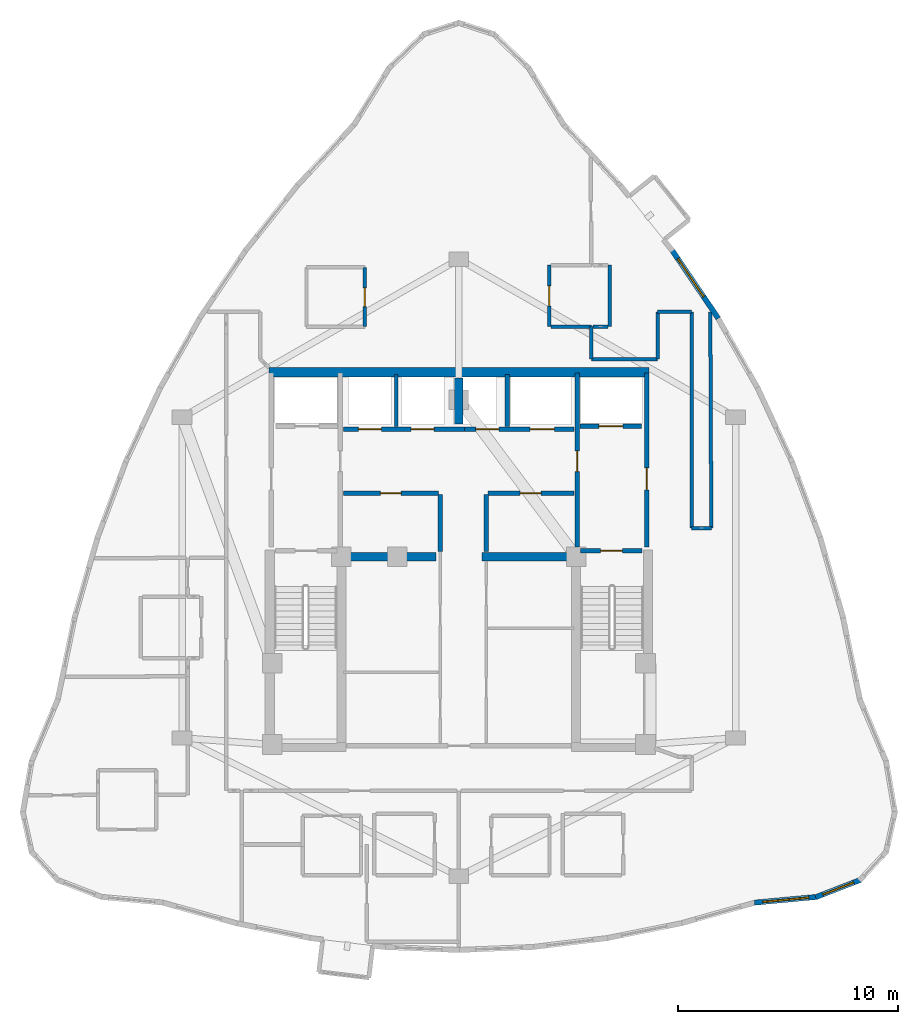
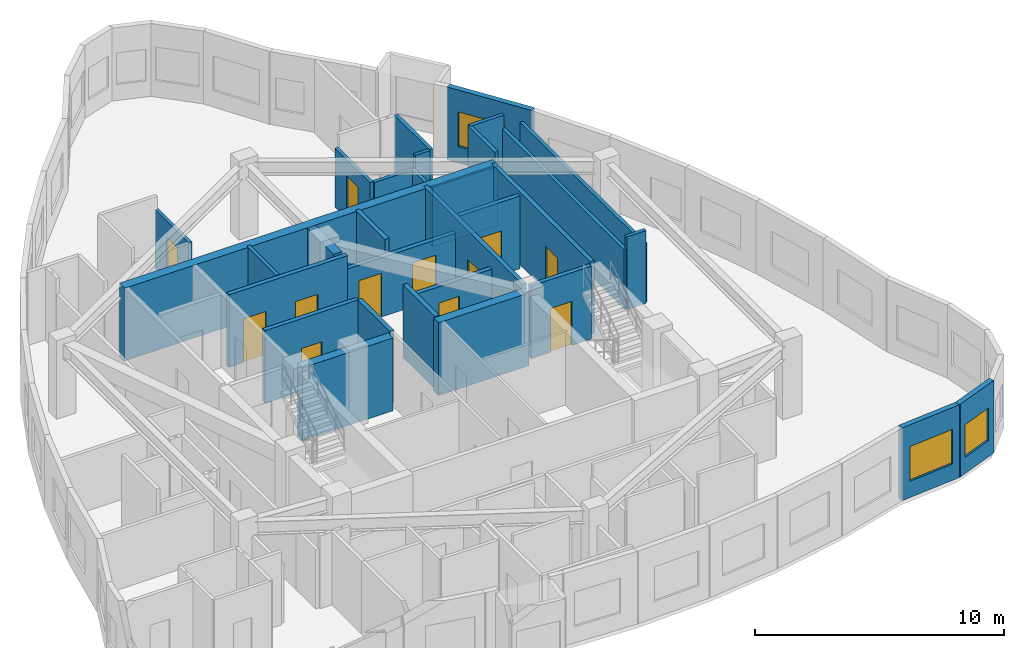
# One storey, part 10 of 13: 31 walls, 12 doors, 3 windows, 15 openings.
"""IFC4 building model written with IfcOpenShell, lengths in metres."""

from ifc_helpers import new_model, si_unit, direction, frame, frame_2d, origin, place, context, subcontext, project, spatial, rectangle, extrude, material, layer, layer_set, type_object, element, fill, save


model = new_model("IFC4")

# Units and contexts
model_context = context("Model", 3, precision=1e-05, world=origin(), true_north=direction((0.0, 1.0)))
body_context = subcontext(model_context, "Body", "Model", "MODEL_VIEW")
ifc_project = project(units=[si_unit("LENGTHUNIT", "METRE"), si_unit("AREAUNIT", "SQUARE_METRE"), si_unit("VOLUMEUNIT", "CUBIC_METRE"), si_unit("PLANEANGLEUNIT", "RADIAN"), si_unit("MASSUNIT", "GRAM", prefix="KILO")], contexts=[model_context])

# Site, building, storey
site_placement = place(None, origin())
site = spatial("IfcSite", under=ifc_project, at=site_placement, CompositionType="ELEMENT")
building_placement = place(site_placement, origin())
building = spatial("IfcBuilding", under=site, at=building_placement, Name="Miruveldt Soraemaru", CompositionType="ELEMENT")
storey_placement = place(building_placement, frame((0.0, 0.0, 259.699951171875)))
storey = spatial("IfcBuildingStorey", under=building, at=storey_placement, Name="L71", CompositionType="ELEMENT", Elevation=259.699951171875)

# Walls
ifc_material_1 = material(Name="Concrete C70/85 (70 MPa)", Category="concrete")
ifc_layer_1 = layer(ifc_material_1, 0.5, Name="Concrete C70/85 (70 MPa)", Category="concrete")
ifc_layer_set_1 = layer_set([ifc_layer_1], Name="Concrete C70/85 (70 MPa)")
wall_type_1 = type_object("IfcWallType", Name="WALL-BW-500", PredefinedType="SHEAR", material=ifc_layer_set_1)
wall_1_placement = place(storey_placement, frame((44.0, 50.10009765625, 0.0), z_axis=(0.0, 0.0, 1.0), x_axis=(0.0, 1.0, 0.0)))
element("IfcWall", 1, at=wall_1_placement, inside=storey, type_object=wall_type_1, Name="L71 Core Buttress Shear Wall BN", PredefinedType="SHEAR", context=body_context, shape_type="SweptSolid", body=[
    extrude(rectangle(XDim=2.099853515625, YDim=0.39990234375, at=frame_2d((1.0498046875, 0.0))), origin(), (0.0, 0.0, 1.0), 3.56494140625),
])
for number, where, z_axis, x_axis, name in (
    (2, (38.75, 44.050048828125, 0.0), (0.0, 0.0, 1.0), (1.0, 0.0, 0.0), "L71 Core Buttress Shear Wall BW"),
    (3, (45.050048828125, 44.050048828125, 0.0), (0.0, 0.0, 1.0), (1.0, 0.0, 0.0), "L71 Core Buttress Shear Wall BE"),
):
    element("IfcWall", number, at=place(storey_placement, frame(where, z_axis=z_axis, x_axis=x_axis)), inside=storey, type_object=wall_type_1, Name=name, PredefinedType="SHEAR", context=body_context, shape_type="SweptSolid", body=[
        extrude(rectangle(XDim=4.199951171875, YDim=0.39990234375, at=frame_2d((2.10009765625, 0.0))), origin(), (0.0, 0.0, 1.0), 3.56494140625),
    ])
ifc_material_2 = material(Name="Concrete C50/60 (50 MPa)", Category="concrete")
ifc_layer_2 = layer(ifc_material_2, 0.419921875, Name="Concrete C50/60 (50 MPa)", Category="concrete")
ifc_layer_set_2 = layer_set([ifc_layer_2], Name="Concrete C50/60 (50 MPa)")
wall_type_2 = type_object("IfcWallType", Name="WALL-CW-420", PredefinedType="SHEAR", material=ifc_layer_set_2)
wall_2_placement = place(storey_placement, frame((35.35009765625, 52.449951171875, 0.0), z_axis=(0.0, 0.0, 1.0), x_axis=(1.0, 0.0, 0.0)))
element("IfcWall", 4, at=wall_2_placement, inside=storey, type_object=wall_type_2, Name="L71 Central Core Shear Wall N", PredefinedType="SHEAR", context=body_context, shape_type="SweptSolid", body=[
    extrude(rectangle(XDim=17.2998046875, YDim=0.419921875, at=frame_2d((8.64990234375, 0.0))), origin(), (0.0, 0.0, 1.0), 3.56494140625),
])

# Wall, opening, window
ifc_material_3 = material(Name="Precast concrete C45/55 (45 MPa)", Category="concrete")
ifc_layer_3 = layer(ifc_material_3, 0.239990234375, Name="Precast concrete C45/55 (45 MPa)", Category="concrete")
ifc_layer_set_3 = layer_set([ifc_layer_3], Name="Precast concrete C45/55 (45 MPa)")
wall_type_3 = type_object("IfcWallType", Name="WALL-EXT-PC240", PredefinedType="SOLIDWALL", material=ifc_layer_set_3)
wall_3_placement = place(storey_placement, frame((57.46435546875, 28.30078125, 0.0), z_axis=(0.0, 0.0, 1.0), x_axis=(0.99576007386, 0.091988452029, 0.0)))
wall_3 = element("IfcWall", 5, at=wall_3_placement, inside=storey, type_object=wall_type_3, Name="L71 Precast Concrete Facade Wall 29", PredefinedType="SOLIDWALL", context=body_context, shape_type="SweptSolid", body=[
    extrude(rectangle(XDim=2.86376953125, YDim=0.239990234375, at=frame_2d((1.431884765625, 0.0))), origin(), (0.0, 0.0, 1.0), 3.56494140625),
])
opening_1_placement = place(wall_3_placement, frame((0.382080078125, 0.0, 0.800048828125)))
opening_1 = element("IfcOpeningElement", 6, at=opening_1_placement, cuts=wall_3, Name="Opening WN-1", PredefinedType="OPENING", context=body_context, shape_type="SweptSolid", body=[
    extrude(rectangle(XDim=2.10009765625, YDim=1.699951171875, at=frame_2d((1.050048828125, 0.85009765625))), frame((0.0, 0.1298828125, 0.0), z_axis=(0.0, -1.0, 0.0), x_axis=(1.0, 0.0, 0.0)), (0.0, 0.0, 1.0), 0.260009765625),
])
ifc_material_4 = material(Name="Triple low-e insulated glazing", Category="glass")
window_type_1 = type_object("IfcWindowType", Name="WIN-PUNCH-2100x1700", PartitioningType="SINGLE_PANEL", PredefinedType="WINDOW", material=ifc_material_4)
window_1_placement = place(opening_1_placement, origin())
window_1 = element("IfcWindow", 7, at=window_1_placement, inside=storey, type_object=window_type_1, Name="L71 Punched Triple-Glazed Window 29.1", OverallHeight=1.699951171875, OverallWidth=2.10009765625, PartitioningType="SINGLE_PANEL", PredefinedType="WINDOW", context=body_context, shape_type="SweptSolid", body=[
    extrude(rectangle(XDim=2.10009765625, YDim=1.699951171875, at=frame_2d((1.050048828125, 0.85009765625))), frame((0.0, 0.030029296875, 0.0), z_axis=(0.0, -1.0, 0.0), x_axis=(1.0, 0.0, 0.0)), (0.0, 0.0, 1.0), 0.06005859375),
])
fill(opening_1, window_1)

wall_4_placement = place(storey_placement, frame((60.248291015625, 28.54833984375, 0.0), z_axis=(0.0, 0.0, 1.0), x_axis=(0.932289565547, 0.361712822516, 0.0)))
wall_4 = element("IfcWall", 8, at=wall_4_placement, inside=storey, type_object=wall_type_3, Name="L71 Precast Concrete Facade Wall 30", PredefinedType="SOLIDWALL", context=body_context, shape_type="SweptSolid", body=[
    extrude(rectangle(XDim=2.200927734375, YDim=0.239990234375, at=frame_2d((1.1005859375, 0.0))), origin(), (0.0, 0.0, 1.0), 3.56494140625),
])
opening_2_placement = place(wall_4_placement, frame((0.35107421875, 0.0, 0.800048828125)))
opening_2 = element("IfcOpeningElement", 9, at=opening_2_placement, cuts=wall_4, Name="Opening WN-3", PredefinedType="OPENING", context=body_context, shape_type="SweptSolid", body=[
    extrude(rectangle(XDim=1.5, YDim=1.60009765625, at=frame_2d((0.75, 0.800048828125))), frame((0.0, 0.1298828125, 0.0), z_axis=(0.0, -1.0, 0.0), x_axis=(1.0, 0.0, 0.0)), (0.0, 0.0, 1.0), 0.260009765625),
])
window_type_2 = type_object("IfcWindowType", Name="WIN-PUNCH-1500x1600", PartitioningType="SINGLE_PANEL", PredefinedType="WINDOW", material=ifc_material_4)
window_2_placement = place(opening_2_placement, origin())
window_2 = element("IfcWindow", 10, at=window_2_placement, inside=storey, type_object=window_type_2, Name="L71 Punched Triple-Glazed Window 30.1", OverallHeight=1.60009765625, OverallWidth=1.5, PartitioningType="SINGLE_PANEL", PredefinedType="WINDOW", context=body_context, shape_type="SweptSolid", body=[
    extrude(rectangle(XDim=1.5, YDim=1.60009765625, at=frame_2d((0.75, 0.800048828125))), frame((0.0, 0.030029296875, 0.0), z_axis=(0.0, -1.0, 0.0), x_axis=(1.0, 0.0, 0.0)), (0.0, 0.0, 1.0), 0.06005859375),
])
fill(opening_2, window_2)

wall_5_placement = place(storey_placement, frame((55.814453125, 54.90478515625, 0.0), z_axis=(0.0, 0.0, 1.0), x_axis=(-0.560812433684, 0.827942881016, 0.0)))
wall_5 = element("IfcWall", 11, at=wall_5_placement, inside=storey, type_object=wall_type_3, Name="L71 Precast Concrete Facade Wall 40", PredefinedType="SOLIDWALL", context=body_context, shape_type="SweptSolid", body=[
    extrude(rectangle(XDim=3.779052734375, YDim=0.239990234375, at=frame_2d((1.8896484375, 0.0))), origin(), (0.0, 0.0, 1.0), 3.56494140625),
])
opening_3_placement = place(wall_5_placement, frame((1.18505859375, 0.0, 0.800048828125)))
opening_3 = element("IfcOpeningElement", 12, at=opening_3_placement, cuts=wall_5, Name="Opening WN-1", PredefinedType="OPENING", context=body_context, shape_type="SweptSolid", body=[
    extrude(rectangle(XDim=2.10009765625, YDim=1.699951171875, at=frame_2d((1.050048828125, 0.85009765625))), frame((0.0, 0.1298828125, 0.0), z_axis=(0.0, -1.0, 0.0), x_axis=(1.0, 0.0, 0.0)), (0.0, 0.0, 1.0), 0.260009765625),
])
window_3_placement = place(opening_3_placement, origin())
window_3 = element("IfcWindow", 13, at=window_3_placement, inside=storey, type_object=window_type_1, Name="L71 Punched Triple-Glazed Window 40.1", OverallHeight=1.699951171875, OverallWidth=2.10009765625, PartitioningType="SINGLE_PANEL", PredefinedType="WINDOW", context=body_context, shape_type="SweptSolid", body=[
    extrude(rectangle(XDim=2.10009765625, YDim=1.699951171875, at=frame_2d((1.050048828125, 0.85009765625))), frame((0.0, 0.030029296875, 0.0), z_axis=(0.0, -1.0, 0.0), x_axis=(1.0, 0.0, 0.0)), (0.0, 0.0, 1.0), 0.06005859375),
])
fill(opening_3, window_3)

# Wall, opening, door
ifc_material_5 = material(Name="Gypsum plasterboard lining", Category="gypsum")
ifc_layer_4 = layer(ifc_material_5, 0.14990234375, Name="Gypsum plasterboard lining", Category="gypsum")
ifc_layer_set_4 = layer_set([ifc_layer_4], Name="Gypsum plasterboard lining")
wall_type_4 = type_object("IfcWallType", Name="WALL-INT-PLUMB", PredefinedType="PLUMBINGWALL", material=ifc_layer_set_4)
wall_6_placement = place(storey_placement, frame((39.716064453125, 54.530029296875, 0.0), z_axis=(0.0, 0.0, 1.0), x_axis=(0.0, 1.0, 0.0)))
wall_6 = element("IfcWall", 14, at=wall_6_placement, inside=storey, type_object=wall_type_4, Name="L71 Partition Wall 13", PredefinedType="PLUMBINGWALL", context=body_context, shape_type="SweptSolid", body=[
    extrude(rectangle(XDim=2.699951171875, YDim=0.14990234375, at=frame_2d((1.35009765625, 0.0))), origin(), (0.0, 0.0, 1.0), 2.903076171875),
])
opening_4_placement = place(wall_6_placement, frame((0.909912109375, 0.0, 0.0)))
opening_4 = element("IfcOpeningElement", 15, at=opening_4_placement, cuts=wall_6, Name="Opening FD3", PredefinedType="OPENING", context=body_context, shape_type="SweptSolid", body=[
    extrude(rectangle(XDim=0.85009765625, YDim=2.10009765625, at=frame_2d((0.425048828125, 1.050048828125))), frame((0.0, 0.0849609375, 0.0), z_axis=(0.0, -1.0, 0.0), x_axis=(1.0, 0.0, 0.0)), (0.0, 0.0, 1.0), 0.169921875),
])
ifc_material_6 = material(Name="Anodised aluminium EN AW-6063 T6", Category="aluminium")
door_type_1 = type_object("IfcDoorType", Name="DOOR-FD3-850", OperationType="NOTDEFINED", PredefinedType="DOOR", material=ifc_material_6)
door_1_placement = place(opening_4_placement, origin())
door_1 = element("IfcDoor", 16, at=door_1_placement, inside=storey, type_object=door_type_1, Name="L71 Unit 7101 BTH Door", OperationType="SINGLE_SWING_RIGHT", OverallHeight=2.10009765625, OverallWidth=0.85009765625, PredefinedType="DOOR", context=body_context, shape_type="SweptSolid", body=[
    extrude(rectangle(XDim=0.85009765625, YDim=2.10009765625, at=frame_2d((0.425048828125, 1.050048828125))), frame((0.0, 0.02490234375, 0.0), z_axis=(0.0, -1.0, 0.0), x_axis=(1.0, 0.0, 0.0)), (0.0, 0.0, 1.0), 0.050048828125),
])
fill(opening_4, door_1)

ifc_material_7 = material(Name="Concrete C40/50 (40 MPa)", Category="concrete")
ifc_layer_5 = layer(ifc_material_7, 0.159912109375, Name="Concrete C40/50 (40 MPa)", Category="concrete")
ifc_layer_set_5 = layer_set([ifc_layer_5], Name="Concrete C40/50 (40 MPa)")
wall_type_5 = type_object("IfcWallType", Name="WALL-INT-RC160", PredefinedType="SOLIDWALL", material=ifc_layer_set_5)
wall_7_placement = place(storey_placement, frame((48.115966796875, 57.330078125, 0.0), z_axis=(0.0, 0.0, 1.0), x_axis=(0.0, -1.0, 0.0)))
wall_7 = element("IfcWall", 17, at=wall_7_placement, inside=storey, type_object=wall_type_5, Name="L71 Partition Wall 18", PredefinedType="SOLIDWALL", context=body_context, shape_type="SweptSolid", body=[
    extrude(rectangle(XDim=2.800048828125, YDim=0.159912109375, at=frame_2d((1.39990234375, 0.0))), origin(), (0.0, 0.0, 1.0), 2.903076171875),
])
opening_5_placement = place(wall_7_placement, frame((0.93994140625, 0.0, 0.0)))
opening_5 = element("IfcOpeningElement", 18, at=opening_5_placement, cuts=wall_7, Name="Opening D3A", PredefinedType="OPENING", context=body_context, shape_type="SweptSolid", body=[
    extrude(rectangle(XDim=0.919921875, YDim=2.10009765625, at=frame_2d((0.4599609375, 1.050048828125))), frame((0.0, 0.08984375, 0.0), z_axis=(0.0, -1.0, 0.0), x_axis=(1.0, 0.0, 0.0)), (0.0, 0.0, 1.0), 0.179931640625),
])
door_type_2 = type_object("IfcDoorType", Name="DOOR-INT-920", OperationType="NOTDEFINED", PredefinedType="DOOR", material=ifc_material_6)
door_2_placement = place(opening_5_placement, origin())
door_2 = element("IfcDoor", 19, at=door_2_placement, inside=storey, type_object=door_type_2, Name="L71 Unit 7101 KIT Door", OperationType="SINGLE_SWING_LEFT", OverallHeight=2.10009765625, OverallWidth=0.919921875, PredefinedType="DOOR", context=body_context, shape_type="SweptSolid", body=[
    extrude(rectangle(XDim=0.919921875, YDim=2.10009765625, at=frame_2d((0.4599609375, 1.050048828125))), frame((0.0, 0.02490234375, 0.0), z_axis=(0.0, -1.0, 0.0), x_axis=(1.0, 0.0, 0.0)), (0.0, 0.0, 1.0), 0.050048828125),
])
fill(opening_5, door_2)

# Walls
wall_8_placement = place(storey_placement, frame((55.448974609375, 55.202880859375, 0.0), z_axis=(0.0, 0.0, 1.0), x_axis=(0.004686867306, -0.999989016577, 0.0)))
element("IfcWall", 20, at=wall_8_placement, inside=storey, type_object=wall_type_5, Name="L71 Partition Wall 68", PredefinedType="SOLIDWALL", context=body_context, shape_type="SweptSolid", body=[
    extrude(rectangle(XDim=9.844970703125, YDim=0.159912109375, at=frame_2d((4.92236328125, 0.0))), origin(), (0.0, 0.0, 1.0), 2.903076171875),
])
wall_9_placement = place(storey_placement, frame((54.60009765625, 45.35791015625, 0.0), z_axis=(0.0, 0.0, 1.0), x_axis=(0.0, 1.0, 0.0)))
element("IfcWall", 21, at=wall_9_placement, inside=storey, type_object=wall_type_5, Name="L71 Partition Wall 70", PredefinedType="SOLIDWALL", context=body_context, shape_type="SweptSolid", body=[
    extrude(rectangle(XDim=9.842041015625, YDim=0.159912109375, at=frame_2d((4.9208984375, 0.0))), origin(), (0.0, 0.0, 1.0), 2.903076171875),
])
wall_10_placement = place(storey_placement, frame((53.047119140625, 53.050048828125, 0.0), z_axis=(0.0, 0.0, 1.0), x_axis=(-1.0, 0.0, 0.0)))
element("IfcWall", 22, at=wall_10_placement, inside=storey, type_object=wall_type_5, Name="L71 Partition Wall 73", PredefinedType="SOLIDWALL", context=body_context, shape_type="SweptSolid", body=[
    extrude(rectangle(XDim=3.01220703125, YDim=0.159912109375, at=frame_2d((1.506103515625, 0.0))), origin(), (0.0, 0.0, 1.0), 2.903076171875),
])
wall_11_placement = place(storey_placement, frame((50.865966796875, 54.530029296875, 0.0), z_axis=(0.0, 0.0, 1.0), x_axis=(0.0, 1.0, 0.0)))
element("IfcWall", 23, at=wall_11_placement, inside=storey, type_object=wall_type_5, Name="L71 Partition Wall 25", PredefinedType="SOLIDWALL", context=body_context, shape_type="SweptSolid", body=[
    extrude(rectangle(XDim=2.800048828125, YDim=0.159912109375, at=frame_2d((1.39990234375, 0.0))), origin(), (0.0, 0.0, 1.0), 3.56494140625),
])
wall_12_placement = place(storey_placement, frame((41.14990234375, 49.97998046875, 0.0), z_axis=(0.0, 0.0, 1.0), x_axis=(0.0, 1.0, 0.0)))
element("IfcWall", 24, at=wall_12_placement, inside=storey, type_object=wall_type_5, Name="L71 Core Compartment Wall PLH-DIV1", PredefinedType="SOLIDWALL", context=body_context, shape_type="SweptSolid", body=[
    extrude(rectangle(XDim=2.3701171875, YDim=0.159912109375, at=frame_2d((1.18505859375, 0.0))), origin(), (0.0, 0.0, 1.0), 3.56494140625),
])
wall_13_placement = place(storey_placement, frame((53.050048828125, 55.199951171875, 0.0), z_axis=(0.0, 0.0, 1.0), x_axis=(0.0, -1.0, 0.0)))
element("IfcWall", 25, at=wall_13_placement, inside=storey, type_object=wall_type_5, Name="L71 Partition Wall 72", PredefinedType="SOLIDWALL", context=body_context, shape_type="SweptSolid", body=[
    extrude(rectangle(XDim=2.14697265625, YDim=0.159912109375, at=frame_2d((1.073486328125, 0.0))), origin(), (0.0, 0.0, 1.0), 3.56494140625),
])
wall_14_placement = place(storey_placement, frame((48.196044921875, 54.530029296875, 0.0), z_axis=(0.0, 0.0, 1.0), x_axis=(1.0, 0.0, 0.0)))
element("IfcWall", 26, at=wall_14_placement, inside=storey, type_object=wall_type_5, Name="L71 Partition Wall 19", PredefinedType="SOLIDWALL", context=body_context, shape_type="SweptSolid", body=[
    extrude(rectangle(XDim=1.848876953125, YDim=0.159912109375, at=frame_2d((0.92431640625, 0.0))), origin(), (0.0, 0.0, 1.0), 2.903076171875),
])
wall_15_placement = place(storey_placement, frame((54.60009765625, 55.199951171875, 0.0), z_axis=(0.0, 0.0, 1.0), x_axis=(-1.0, 0.0, 0.0)))
element("IfcWall", 27, at=wall_15_placement, inside=storey, type_object=wall_type_5, Name="L71 Partition Wall 71", PredefinedType="SOLIDWALL", context=body_context, shape_type="SweptSolid", body=[
    extrude(rectangle(XDim=1.550048828125, YDim=0.159912109375, at=frame_2d((0.77490234375, 0.0))), origin(), (0.0, 0.0, 1.0), 3.56494140625),
])
wall_16_placement = place(storey_placement, frame((50.034912109375, 53.050048828125, 0.0), z_axis=(0.0, 0.0, 1.0), x_axis=(0.0, 1.0, 0.0)))
element("IfcWall", 28, at=wall_16_placement, inside=storey, type_object=wall_type_5, Name="L71 Partition Wall 20", PredefinedType="SOLIDWALL", context=body_context, shape_type="SweptSolid", body=[
    extrude(rectangle(XDim=1.47998046875, YDim=0.159912109375, at=frame_2d((0.739990234375, 0.0))), origin(), (0.0, 0.0, 1.0), 2.903076171875),
])
wall_17_placement = place(storey_placement, frame((55.4951171875, 45.35791015625, 0.0), z_axis=(0.0, 0.0, 1.0), x_axis=(-1.0, 0.0, 0.0)))
element("IfcWall", 29, at=wall_17_placement, inside=storey, type_object=wall_type_5, Name="L71 Partition Wall 69", PredefinedType="SOLIDWALL", context=body_context, shape_type="SweptSolid", body=[
    extrude(rectangle(XDim=0.89501953125, YDim=0.159912109375, at=frame_2d((0.447509765625, 0.0))), origin(), (0.0, 0.0, 1.0), 3.56494140625),
])
wall_18_placement = place(storey_placement, frame((50.114990234375, 54.530029296875, 0.0), z_axis=(0.0, 0.0, 1.0), x_axis=(1.0, 0.0, 0.0)))
element("IfcWall", 30, at=wall_18_placement, inside=storey, type_object=wall_type_5, Name="L71 Partition Wall 24", PredefinedType="SOLIDWALL", context=body_context, shape_type="SweptSolid", body=[
    extrude(rectangle(XDim=0.6708984375, YDim=0.159912109375, at=frame_2d((0.33544921875, 0.0))), origin(), (0.0, 0.0, 1.0), 3.56494140625),
])

# Wall, opening, door
ifc_layer_6 = layer(ifc_material_7, 0.199951171875, Name="Concrete C40/50 (40 MPa)", Category="concrete")
ifc_layer_set_6 = layer_set([ifc_layer_6], Name="Concrete C40/50 (40 MPa)")
wall_type_6 = type_object("IfcWallType", Name="WALL-INT-RC200", PredefinedType="SOLIDWALL", material=ifc_layer_set_6)
wall_19_placement = place(storey_placement, frame((52.550048828125, 44.5, 0.0), z_axis=(0.0, 0.0, 1.0), x_axis=(0.0, 1.0, 0.0)))
wall_19 = element("IfcWall", 31, at=wall_19_placement, inside=storey, type_object=wall_type_6, Name="L71 Core Compartment Wall FFE-OUT", PredefinedType="SOLIDWALL", context=body_context, shape_type="SweptSolid", body=[
    extrude(rectangle(XDim=7.919921875, YDim=0.199951171875, at=frame_2d((3.9599609375, 0.0))), origin(), (0.0, 0.0, 1.0), 3.56494140625),
])
opening_6_placement = place(wall_19_placement, frame((2.60009765625, 0.0, 0.0)))
opening_6 = element("IfcOpeningElement", 32, at=opening_6_placement, cuts=wall_19, Name="Opening FD1", PredefinedType="OPENING", context=body_context, shape_type="SweptSolid", body=[
    extrude(rectangle(XDim=1.0, YDim=2.14990234375, at=frame_2d((0.5, 1.074951171875))), frame((0.0, 0.10986328125, 0.0), z_axis=(0.0, -1.0, 0.0), x_axis=(1.0, 0.0, 0.0)), (0.0, 0.0, 1.0), 0.219970703125),
])
door_type_3 = type_object("IfcDoorType", Name="DOOR-FD1-1000", OperationType="NOTDEFINED", PredefinedType="DOOR", material=ifc_material_6)
door_3_placement = place(opening_6_placement, frame((1.0, 0.0, 0.0), z_axis=(0.0, 0.0, 1.0), x_axis=(-1.0, 0.0, 0.0)))
door_3 = element("IfcDoor", 33, at=door_3_placement, inside=storey, type_object=door_type_3, Name="L71 East Firefighting Lobby Exit Door", OperationType="SINGLE_SWING_RIGHT", OverallHeight=2.14990234375, OverallWidth=1.0, PredefinedType="DOOR", context=body_context, shape_type="SweptSolid", body=[
    extrude(rectangle(XDim=1.0, YDim=2.14990234375, at=frame_2d((0.5, 1.074951171875))), frame((0.0, 0.02490234375, 0.0), z_axis=(0.0, -1.0, 0.0), x_axis=(1.0, 0.0, 0.0)), (0.0, 0.0, 1.0), 0.050048828125),
])
fill(opening_6, door_3)

wall_20_placement = place(storey_placement, frame((49.39990234375, 44.5, 0.0), z_axis=(0.0, 0.0, 1.0), x_axis=(0.0, 1.0, 0.0)))
wall_20 = element("IfcWall", 34, at=wall_20_placement, inside=storey, type_object=wall_type_6, Name="L71 Core Compartment Wall FFE-IN", PredefinedType="SOLIDWALL", context=body_context, shape_type="SweptSolid", body=[
    extrude(rectangle(XDim=7.919921875, YDim=0.199951171875, at=frame_2d((3.9599609375, 0.0))), origin(), (0.0, 0.0, 1.0), 3.56494140625),
])
opening_7_placement = place(wall_20_placement, frame((3.425048828125, 0.0, 0.0)))
opening_7 = element("IfcOpeningElement", 35, at=opening_7_placement, cuts=wall_20, Name="Opening FD2", PredefinedType="OPENING", context=body_context, shape_type="SweptSolid", body=[
    extrude(rectangle(XDim=0.949951171875, YDim=2.14990234375, at=frame_2d((0.47509765625, 1.074951171875))), frame((0.0, 0.10986328125, 0.0), z_axis=(0.0, -1.0, 0.0), x_axis=(1.0, 0.0, 0.0)), (0.0, 0.0, 1.0), 0.219970703125),
])
door_type_4 = type_object("IfcDoorType", Name="DOOR-FD2-950", OperationType="NOTDEFINED", PredefinedType="DOOR", material=ifc_material_6)
door_4_placement = place(opening_7_placement, origin())
door_4 = element("IfcDoor", 36, at=door_4_placement, inside=storey, type_object=door_type_4, Name="L71 Lift Lobby to East Fire Lobby Door", OperationType="SINGLE_SWING_LEFT", OverallHeight=2.14990234375, OverallWidth=0.949951171875, PredefinedType="DOOR", context=body_context, shape_type="SweptSolid", body=[
    extrude(rectangle(XDim=0.949951171875, YDim=2.14990234375, at=frame_2d((0.47509765625, 1.074951171875))), frame((0.0, 0.02490234375, 0.0), z_axis=(0.0, -1.0, 0.0), x_axis=(1.0, 0.0, 0.0)), (0.0, 0.0, 1.0), 0.050048828125),
])
fill(opening_7, door_4)

# Wall, openings, doors
wall_21_placement = place(storey_placement, frame((38.75, 49.85009765625, 0.0), z_axis=(0.0, 0.0, 1.0), x_axis=(1.0, 0.0, 0.0)))
wall_21 = element("IfcWall", 37, at=wall_21_placement, inside=storey, type_object=wall_type_6, Name="L71 Core Compartment Wall ROWA-SW", PredefinedType="SOLIDWALL", context=body_context, shape_type="SweptSolid", body=[
    extrude(rectangle(XDim=5.5, YDim=0.199951171875, at=frame_2d((2.75, 0.0))), origin(), (0.0, 0.0, 1.0), 3.56494140625),
])
opening_8_placement = place(wall_21_placement, frame((0.675048828125, 0.0, 0.0)))
opening_8 = element("IfcOpeningElement", 38, at=opening_8_placement, cuts=wall_21, Name="Opening LD1", PredefinedType="OPENING", context=body_context, shape_type="SweptSolid", body=[
    extrude(rectangle(XDim=1.050048828125, YDim=2.14990234375, at=frame_2d((0.52490234375, 1.074951171875))), frame((0.0, 0.10986328125, 0.0), z_axis=(0.0, -1.0, 0.0), x_axis=(1.0, 0.0, 0.0)), (0.0, 0.0, 1.0), 0.219970703125),
])
opening_9_placement = place(wall_21_placement, frame((3.074951171875, 0.0, 0.0)))
opening_9 = element("IfcOpeningElement", 39, at=opening_9_placement, cuts=wall_21, Name="Opening LD1", PredefinedType="OPENING", context=body_context, shape_type="SweptSolid", body=[
    extrude(rectangle(XDim=1.050048828125, YDim=2.14990234375, at=frame_2d((0.52490234375, 1.074951171875))), frame((0.0, 0.10986328125, 0.0), z_axis=(0.0, -1.0, 0.0), x_axis=(1.0, 0.0, 0.0)), (0.0, 0.0, 1.0), 0.219970703125),
])
door_type_5 = type_object("IfcDoorType", Name="DOOR-LD1-1050", OperationType="SLIDING_TO_LEFT", PredefinedType="DOOR", material=ifc_material_6)
door_5_placement = place(opening_8_placement, origin())
door_5 = element("IfcDoor", 40, at=door_5_placement, inside=storey, type_object=door_type_5, Name="L71 PL-H1 Landing Door", OperationType="SLIDING_TO_LEFT", OverallHeight=2.14990234375, OverallWidth=1.050048828125, PredefinedType="DOOR", context=body_context, shape_type="SweptSolid", body=[
    extrude(rectangle(XDim=1.050048828125, YDim=2.14990234375, at=frame_2d((0.52490234375, 1.074951171875))), frame((0.0, 0.02490234375, 0.0), z_axis=(0.0, -1.0, 0.0), x_axis=(1.0, 0.0, 0.0)), (0.0, 0.0, 1.0), 0.050048828125),
])
fill(opening_8, door_5)
door_6_placement = place(opening_9_placement, origin())
door_6 = element("IfcDoor", 41, at=door_6_placement, inside=storey, type_object=door_type_5, Name="L71 PL-H2 Landing Door", OperationType="SLIDING_TO_LEFT", OverallHeight=2.14990234375, OverallWidth=1.050048828125, PredefinedType="DOOR", context=body_context, shape_type="SweptSolid", body=[
    extrude(rectangle(XDim=1.050048828125, YDim=2.14990234375, at=frame_2d((0.52490234375, 1.074951171875))), frame((0.0, 0.02490234375, 0.0), z_axis=(0.0, -1.0, 0.0), x_axis=(1.0, 0.0, 0.0)), (0.0, 0.0, 1.0), 0.050048828125),
])
fill(opening_9, door_6)

wall_22_placement = place(storey_placement, frame((44.25, 49.85009765625, 0.0), z_axis=(0.0, 0.0, 1.0), x_axis=(1.0, 0.0, 0.0)))
wall_22 = element("IfcWall", 42, at=wall_22_placement, inside=storey, type_object=wall_type_6, Name="L71 Core Compartment Wall ROWA-SE", PredefinedType="SOLIDWALL", context=body_context, shape_type="SweptSolid", body=[
    extrude(rectangle(XDim=5.0, YDim=0.199951171875, at=frame_2d((2.5, 0.0))), origin(), (0.0, 0.0, 1.0), 2.903076171875),
])
opening_10_placement = place(wall_22_placement, frame((0.52490234375, 0.0, 0.0)))
opening_10 = element("IfcOpeningElement", 43, at=opening_10_placement, cuts=wall_22, Name="Opening LD1", PredefinedType="OPENING", context=body_context, shape_type="SweptSolid", body=[
    extrude(rectangle(XDim=1.050048828125, YDim=2.14990234375, at=frame_2d((0.52490234375, 1.074951171875))), frame((0.0, 0.10986328125, 0.0), z_axis=(0.0, -1.0, 0.0), x_axis=(1.0, 0.0, 0.0)), (0.0, 0.0, 1.0), 0.219970703125),
])
opening_11_placement = place(wall_22_placement, frame((3.0, 0.0, 0.0)))
opening_11 = element("IfcOpeningElement", 44, at=opening_11_placement, cuts=wall_22, Name="Opening LD2", PredefinedType="OPENING", context=body_context, shape_type="SweptSolid", body=[
    extrude(rectangle(XDim=1.10009765625, YDim=2.14990234375, at=frame_2d((0.550048828125, 1.074951171875))), frame((0.0, 0.10986328125, 0.0), z_axis=(0.0, -1.0, 0.0), x_axis=(1.0, 0.0, 0.0)), (0.0, 0.0, 1.0), 0.219970703125),
])
door_7_placement = place(opening_10_placement, origin())
door_7 = element("IfcDoor", 45, at=door_7_placement, inside=storey, type_object=door_type_5, Name="L71 PL-H3 Landing Door", OperationType="SLIDING_TO_LEFT", OverallHeight=2.14990234375, OverallWidth=1.050048828125, PredefinedType="DOOR", context=body_context, shape_type="SweptSolid", body=[
    extrude(rectangle(XDim=1.050048828125, YDim=2.14990234375, at=frame_2d((0.52490234375, 1.074951171875))), frame((0.0, 0.02490234375, 0.0), z_axis=(0.0, -1.0, 0.0), x_axis=(1.0, 0.0, 0.0)), (0.0, 0.0, 1.0), 0.050048828125),
])
fill(opening_10, door_7)
door_type_6 = type_object("IfcDoorType", Name="DOOR-LD2-1100", OperationType="SLIDING_TO_LEFT", PredefinedType="DOOR", material=ifc_material_6)
door_8_placement = place(opening_11_placement, origin())
door_8 = element("IfcDoor", 46, at=door_8_placement, inside=storey, type_object=door_type_6, Name="L71 SL-1 Landing Door", OperationType="SLIDING_TO_LEFT", OverallHeight=2.14990234375, OverallWidth=1.10009765625, PredefinedType="DOOR", context=body_context, shape_type="SweptSolid", body=[
    extrude(rectangle(XDim=1.10009765625, YDim=2.14990234375, at=frame_2d((0.550048828125, 1.074951171875))), frame((0.0, 0.02490234375, 0.0), z_axis=(0.0, -1.0, 0.0), x_axis=(1.0, 0.0, 0.0)), (0.0, 0.0, 1.0), 0.050048828125),
])
fill(opening_11, door_8)

# Wall, opening, door
wall_23_placement = place(storey_placement, frame((38.75, 46.949951171875, 0.0), z_axis=(0.0, 0.0, 1.0), x_axis=(1.0, 0.0, 0.0)))
wall_23 = element("IfcWall", 47, at=wall_23_placement, inside=storey, type_object=wall_type_6, Name="L71 Core Compartment Wall MBW-N", PredefinedType="SOLIDWALL", context=body_context, shape_type="SweptSolid", body=[
    extrude(rectangle(XDim=4.330078125, YDim=0.199951171875, at=frame_2d((2.1650390625, 0.0))), origin(), (0.0, 0.0, 1.0), 3.56494140625),
])
opening_12_placement = place(wall_23_placement, frame((1.675048828125, 0.0, 0.0)))
opening_12 = element("IfcOpeningElement", 48, at=opening_12_placement, cuts=wall_23, Name="Opening D2", PredefinedType="OPENING", context=body_context, shape_type="SweptSolid", body=[
    extrude(rectangle(XDim=0.949951171875, YDim=2.10009765625, at=frame_2d((0.47509765625, 1.050048828125))), frame((0.0, 0.10986328125, 0.0), z_axis=(0.0, -1.0, 0.0), x_axis=(1.0, 0.0, 0.0)), (0.0, 0.0, 1.0), 0.219970703125),
])
door_type_7 = type_object("IfcDoorType", Name="DOOR-INT-950", OperationType="NOTDEFINED", PredefinedType="DOOR", material=ifc_material_6)
door_9_placement = place(opening_12_placement, origin())
door_9 = element("IfcDoor", 49, at=door_9_placement, inside=storey, type_object=door_type_7, Name="L71 Fire Door", OperationType="SINGLE_SWING_LEFT", OverallHeight=2.10009765625, OverallWidth=0.949951171875, PredefinedType="DOOR", context=body_context, shape_type="SweptSolid", body=[
    extrude(rectangle(XDim=0.949951171875, YDim=2.10009765625, at=frame_2d((0.47509765625, 1.050048828125))), frame((0.0, 0.02490234375, 0.0), z_axis=(0.0, -1.0, 0.0), x_axis=(1.0, 0.0, 0.0)), (0.0, 0.0, 1.0), 0.050048828125),
])
fill(opening_12, door_9)

wall_24_placement = place(storey_placement, frame((45.320068359375, 46.949951171875, 0.0), z_axis=(0.0, 0.0, 1.0), x_axis=(1.0, 0.0, 0.0)))
wall_24 = element("IfcWall", 50, at=wall_24_placement, inside=storey, type_object=wall_type_6, Name="L71 Core Compartment Wall MBE-N", PredefinedType="SOLIDWALL", context=body_context, shape_type="SweptSolid", body=[
    extrude(rectangle(XDim=3.929931640625, YDim=0.199951171875, at=frame_2d((1.96484375, 0.0))), origin(), (0.0, 0.0, 1.0), 2.903076171875),
])
opening_13_placement = place(wall_24_placement, frame((1.47509765625, 0.0, 0.0)))
opening_13 = element("IfcOpeningElement", 51, at=opening_13_placement, cuts=wall_24, Name="Opening D2", PredefinedType="OPENING", context=body_context, shape_type="SweptSolid", body=[
    extrude(rectangle(XDim=0.949951171875, YDim=2.10009765625, at=frame_2d((0.47509765625, 1.050048828125))), frame((0.0, 0.10986328125, 0.0), z_axis=(0.0, -1.0, 0.0), x_axis=(1.0, 0.0, 0.0)), (0.0, 0.0, 1.0), 0.219970703125),
])
door_10_placement = place(opening_13_placement, origin())
door_10 = element("IfcDoor", 52, at=door_10_placement, inside=storey, type_object=door_type_7, Name="L71 Fire Door", OperationType="SINGLE_SWING_LEFT", OverallHeight=2.10009765625, OverallWidth=0.949951171875, PredefinedType="DOOR", context=body_context, shape_type="SweptSolid", body=[
    extrude(rectangle(XDim=0.949951171875, YDim=2.10009765625, at=frame_2d((0.47509765625, 1.050048828125))), frame((0.0, 0.02490234375, 0.0), z_axis=(0.0, -1.0, 0.0), x_axis=(1.0, 0.0, 0.0)), (0.0, 0.0, 1.0), 0.050048828125),
])
fill(opening_13, door_10)

wall_25_placement = place(storey_placement, frame((49.550048828125, 44.320068359375, 0.0), z_axis=(0.0, 0.0, 1.0), x_axis=(1.0, 0.0, 0.0)))
wall_25 = element("IfcWall", 53, at=wall_25_placement, inside=storey, type_object=wall_type_6, Name="L71 Core Compartment Wall ST2-N", PredefinedType="SOLIDWALL", context=body_context, shape_type="SweptSolid", body=[
    extrude(rectangle(XDim=2.800048828125, YDim=0.199951171875, at=frame_2d((1.39990234375, 0.0))), origin(), (0.0, 0.0, 1.0), 3.56494140625),
])
opening_14_placement = place(wall_25_placement, frame((0.89990234375, 0.0, 0.0)))
opening_14 = element("IfcOpeningElement", 54, at=opening_14_placement, cuts=wall_25, Name="Opening FD1", PredefinedType="OPENING", context=body_context, shape_type="SweptSolid", body=[
    extrude(rectangle(XDim=1.0, YDim=2.14990234375, at=frame_2d((0.5, 1.074951171875))), frame((0.0, 0.10986328125, 0.0), z_axis=(0.0, -1.0, 0.0), x_axis=(1.0, 0.0, 0.0)), (0.0, 0.0, 1.0), 0.219970703125),
])
door_11_placement = place(opening_14_placement, frame((1.0, 0.0, 0.0), z_axis=(0.0, 0.0, 1.0), x_axis=(-1.0, 0.0, 0.0)))
door_11 = element("IfcDoor", 55, at=door_11_placement, inside=storey, type_object=door_type_3, Name="L71 Stair ST-2 Fire Door", OperationType="SINGLE_SWING_RIGHT", OverallHeight=2.14990234375, OverallWidth=1.0, PredefinedType="DOOR", context=body_context, shape_type="SweptSolid", body=[
    extrude(rectangle(XDim=1.0, YDim=2.14990234375, at=frame_2d((0.5, 1.074951171875))), frame((0.0, 0.02490234375, 0.0), z_axis=(0.0, -1.0, 0.0), x_axis=(1.0, 0.0, 0.0)), (0.0, 0.0, 1.0), 0.050048828125),
])
fill(opening_14, door_11)

wall_26_placement = place(storey_placement, frame((49.52001953125, 50.0, 0.0), z_axis=(0.0, 0.0, 1.0), x_axis=(1.0, 0.0, 0.0)))
wall_26 = element("IfcWall", 56, at=wall_26_placement, inside=storey, type_object=wall_type_6, Name="L71 Core Compartment Wall FFL2-S", PredefinedType="SOLIDWALL", context=body_context, shape_type="SweptSolid", body=[
    extrude(rectangle(XDim=2.800048828125, YDim=0.199951171875, at=frame_2d((1.39990234375, 0.0))), origin(), (0.0, 0.0, 1.0), 3.56494140625),
])
opening_15_placement = place(wall_26_placement, frame((0.85009765625, 0.0, 0.0)))
opening_15 = element("IfcOpeningElement", 57, at=opening_15_placement, cuts=wall_26, Name="Opening LD2", PredefinedType="OPENING", context=body_context, shape_type="SweptSolid", body=[
    extrude(rectangle(XDim=1.10009765625, YDim=2.14990234375, at=frame_2d((0.550048828125, 1.074951171875))), frame((0.0, 0.10986328125, 0.0), z_axis=(0.0, -1.0, 0.0), x_axis=(1.0, 0.0, 0.0)), (0.0, 0.0, 1.0), 0.219970703125),
])
door_12_placement = place(opening_15_placement, origin())
door_12 = element("IfcDoor", 58, at=door_12_placement, inside=storey, type_object=door_type_6, Name="L71 FFL-2 Landing Door", OperationType="SLIDING_TO_LEFT", OverallHeight=2.14990234375, OverallWidth=1.10009765625, PredefinedType="DOOR", context=body_context, shape_type="SweptSolid", body=[
    extrude(rectangle(XDim=1.10009765625, YDim=2.14990234375, at=frame_2d((0.550048828125, 1.074951171875))), frame((0.0, 0.02490234375, 0.0), z_axis=(0.0, -1.0, 0.0), x_axis=(1.0, 0.0, 0.0)), (0.0, 0.0, 1.0), 0.050048828125),
])
fill(opening_15, door_12)

# Walls
for number, where, z_axis, x_axis, name in (
    (59, (43.14990234375, 44.300048828125, 0.0), (0.0, 0.0, 1.0), (0.0, 1.0, 0.0), "L71 Core Compartment Wall SP-WB"),
    (60, (45.25, 44.300048828125, 0.0), (0.0, 0.0, 1.0), (0.0, 1.0, 0.0), "L71 Core Compartment Wall SP-EB"),
):
    element("IfcWall", number, at=place(storey_placement, frame(where, z_axis=z_axis, x_axis=x_axis)), inside=storey, type_object=wall_type_6, Name=name, PredefinedType="SOLIDWALL", context=body_context, shape_type="SweptSolid", body=[
        extrude(rectangle(XDim=2.579833984375, YDim=0.199951171875, at=frame_2d((1.2900390625, 0.0))), origin(), (0.0, 0.0, 1.0), 3.56494140625),
    ])
wall_27_placement = place(storey_placement, frame((46.199951171875, 49.97998046875, 0.0), z_axis=(0.0, 0.0, 1.0), x_axis=(0.0, 1.0, 0.0)))
element("IfcWall", 61, at=wall_27_placement, inside=storey, type_object=wall_type_6, Name="L71 Core Compartment Wall PLH-SL-DIV", PredefinedType="SOLIDWALL", context=body_context, shape_type="SweptSolid", body=[
    extrude(rectangle(XDim=2.3701171875, YDim=0.199951171875, at=frame_2d((1.18505859375, 0.0))), origin(), (0.0, 0.0, 1.0), 3.56494140625),
])

save(model, "model.ifc")
